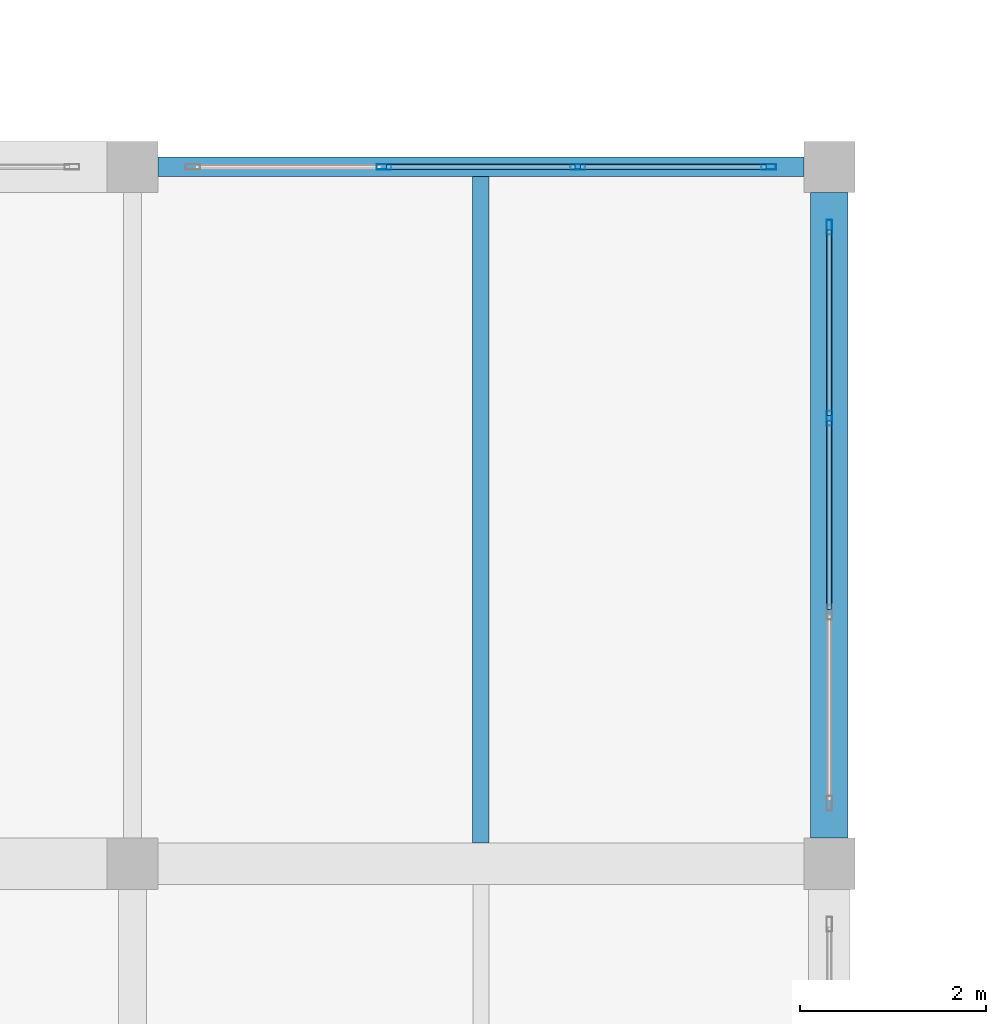
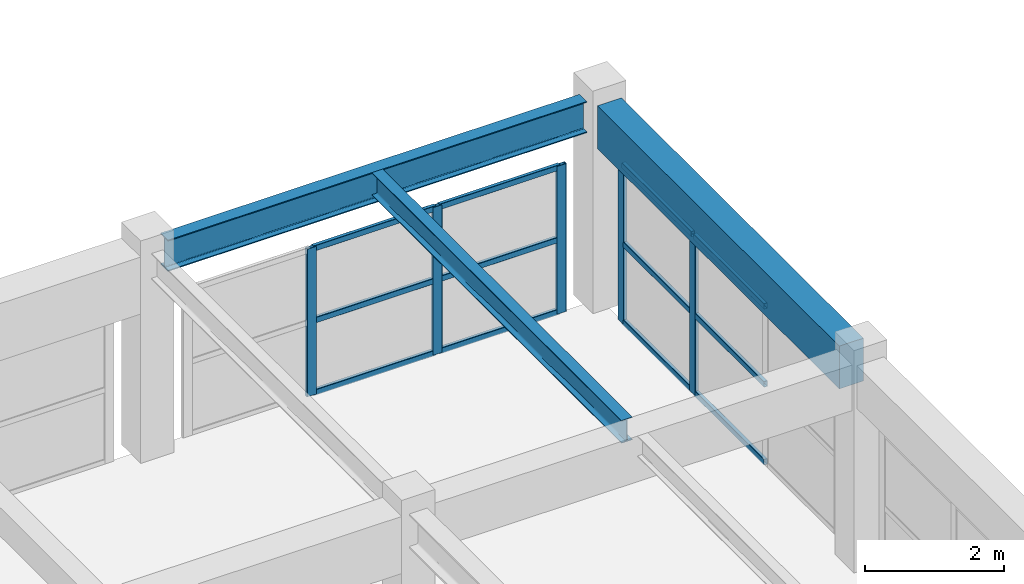
# One storey, part 37 of 101: 17 members, 3 beams, 2 elements without a shape of their own.
"""IFC4 building model written with IfcOpenShell, lengths in metres."""

from ifc_helpers import new_model, si_unit, direction, frame, origin, origin_2d, place, context, subcontext, project, spatial, rectangle, hollow_rectangle, i_section, extrude, material, material_profile, profile_set, type_object, element, aggregate, save


model = new_model("IFC4")

# Units and contexts
model_context = context("Model", 3, precision=1e-05, world=origin(), true_north=direction((0.0, 1.0)))
body_context = subcontext(model_context, "Body", "Model", "MODEL_VIEW")
ifc_project = project(units=[si_unit("LENGTHUNIT", "METRE"), si_unit("AREAUNIT", "SQUARE_METRE"), si_unit("VOLUMEUNIT", "CUBIC_METRE"), si_unit("PLANEANGLEUNIT", "RADIAN"), si_unit("MASSUNIT", "GRAM", prefix="KILO")], contexts=[model_context])

# Site, building, storey
site_placement = place(None, origin())
site = spatial("IfcSite", under=ifc_project, at=site_placement, CompositionType="ELEMENT")
building_placement = place(site_placement, origin())
building = spatial("IfcBuilding", under=site, at=building_placement, Name="Qasida Concert Hall", CompositionType="ELEMENT")
storey_placement = place(building_placement, frame((0.0, 0.0, 13.199951171875)))
storey = spatial("IfcBuildingStorey", under=building, at=storey_placement, Name="L03", CompositionType="ELEMENT", Elevation=13.199951171875)

# Beams
ifc_material_1 = material(Name="Steel S355J2", Category="steel")
ifc_material_profile_1 = material_profile(ifc_material_1, i_section(OverallWidth=0.179931640625, OverallDepth=0.39990234375, WebThickness=0.008544921875, FlangeThickness=0.013427734375, FilletRadius=0.02099609375, at=origin_2d()), Name="IPE 400")
ifc_profile_set_1 = profile_set([ifc_material_profile_1], Name="Steel S355J2")
beam_type_1 = type_object("IfcBeamType", Name="BM-J3", PredefinedType="JOIST", material=ifc_profile_set_1)
beam_1_placement = place(storey_placement, frame((33.75, 45.22509765625, 3.420166015625), z_axis=(0.0, 1.0, 0.0), x_axis=(-1.0, 0.0, 0.0)))
element("IfcBeam", 1, at=beam_1_placement, inside=storey, type_object=beam_type_1, Name="L03 secondary joist 1658", PredefinedType="JOIST", context=body_context, shape_type="SweptSolid", body=[
    extrude(i_section(OverallWidth=0.179931640625, OverallDepth=0.39990234375, WebThickness=0.008544921875, FlangeThickness=0.013427734375, FilletRadius=0.02099609375, at=origin_2d()), origin(), (0.0, 0.0, 1.0), 7.169921875),
])
ifc_material_2 = material(Name="Concrete C40/50", Category="concrete")
ifc_material_profile_2 = material_profile(ifc_material_2, rectangle(XDim=0.39990234375, YDim=0.75, at=origin_2d()), Name="RC 400x750")
ifc_profile_set_2 = profile_set([ifc_material_profile_2], Name="Concrete C40/50")
beam_type_2 = type_object("IfcBeamType", Name="BM-SP1", PredefinedType="SPANDREL", material=ifc_profile_set_2)
beam_2_placement = place(storey_placement, frame((37.5, 45.27490234375, 3.2451171875), z_axis=(0.0, 1.0, 0.0), x_axis=(-1.0, 0.0, 0.0)))
element("IfcBeam", 2, at=beam_2_placement, inside=storey, type_object=beam_type_2, Name="L03 girder 1635", PredefinedType="SPANDREL", context=body_context, shape_type="SweptSolid", body=[
    extrude(rectangle(XDim=0.39990234375, YDim=0.75, at=origin_2d()), origin(), (0.0, 0.0, 1.0), 6.9501953125),
])
ifc_material_profile_3 = material_profile(ifc_material_1, i_section(OverallWidth=0.2099609375, OverallDepth=0.550048828125, WebThickness=0.010986328125, FlangeThickness=0.01708984375, FilletRadius=0.02392578125, at=origin_2d()), Name="IPE 550")
ifc_profile_set_3 = profile_set([ifc_material_profile_3], Name="Steel S355J2")
beam_type_3 = type_object("IfcBeamType", Name="BM-SP2", PredefinedType="SPANDREL", material=ifc_profile_set_3)
beam_3_placement = place(storey_placement, frame((30.27490234375, 52.5, 3.344970703125), z_axis=(1.0, 0.0, 0.0), x_axis=(0.0, 1.0, 0.0)))
element("IfcBeam", 3, at=beam_3_placement, inside=storey, type_object=beam_type_3, Name="Primary girder 1615", PredefinedType="SPANDREL", context=body_context, shape_type="SweptSolid", body=[
    extrude(i_section(OverallWidth=0.2099609375, OverallDepth=0.550048828125, WebThickness=0.010986328125, FlangeThickness=0.01708984375, FilletRadius=0.02392578125, at=origin_2d()), origin(), (0.0, 0.0, 1.0), 6.9501953125),
])

# Curtain wall, members
ifc_material_3 = material(Name="Architectural bronze-anodized aluminium and low-E glass", Category="aluminium")
curtain_wall_type = type_object("IfcCurtainWallType", Name="CW-09", PredefinedType="NOTDEFINED", material=ifc_material_3)
curtain_wall_1_placement = place(storey_placement, origin())
curtain_wall_1 = element("IfcCurtainWall", 4, at=curtain_wall_1_placement, inside=storey, type_object=curtain_wall_type, Name="L03 curtain wall CW-09 0124", PredefinedType="NOTDEFINED")
ifc_material_4 = material(Name="Architectural bronze-anodized aluminium EN AW-6063", Category="aluminium")
ifc_material_profile_4 = material_profile(ifc_material_4, hollow_rectangle(XDim=0.06005859375, YDim=0.159912109375, WallThickness=0.00390625, InnerFilletRadius=0.00390625, OuterFilletRadius=0.008056640625, at=origin_2d()), Name="CWM 160x60x4")
ifc_profile_set_4 = profile_set([ifc_material_profile_4], Name="Architectural bronze-anodized aluminium EN AW-6063")
member_type_1 = type_object("IfcMemberType", Name="MB-CWM-3", PredefinedType="MULLION", material=ifc_profile_set_4)
member_1_placement = place(storey_placement, frame((32.706787109375, 52.5, 0.0), z_axis=(0.0, 0.0, 1.0), x_axis=(0.0, 1.0, 0.0)))
member_1 = element("IfcMember", 5, at=member_1_placement, type_object=member_type_1, Name="CW-09 mullion 2", PredefinedType="MULLION", context=body_context, shape_type="SweptSolid", body=[
    extrude(hollow_rectangle(XDim=0.06005859375, YDim=0.159912109375, WallThickness=0.00390625, InnerFilletRadius=0.00390625, OuterFilletRadius=0.008056640625, at=origin_2d()), origin(), (0.0, 0.0, 1.0), 2.590087890625),
])
member_2_placement = place(storey_placement, frame((34.793212890625, 52.5, 0.0), z_axis=(0.0, 0.0, 1.0), x_axis=(0.0, 1.0, 0.0)))
member_2 = element("IfcMember", 6, at=member_2_placement, type_object=member_type_1, Name="CW-09 mullion 3", PredefinedType="MULLION", context=body_context, shape_type="SweptSolid", body=[
    extrude(hollow_rectangle(XDim=0.06005859375, YDim=0.159912109375, WallThickness=0.00390625, InnerFilletRadius=0.00390625, OuterFilletRadius=0.008056640625, at=origin_2d()), origin(), (0.0, 0.0, 1.0), 2.590087890625),
])
member_3_placement = place(storey_placement, frame((36.85009765625, 52.5, 0.0), z_axis=(0.0, 0.0, 1.0), x_axis=(0.0, 1.0, 0.0)))
member_3 = element("IfcMember", 7, at=member_3_placement, type_object=member_type_1, Name="CW-09 mullion 4", PredefinedType="MULLION", context=body_context, shape_type="SweptSolid", body=[
    extrude(hollow_rectangle(XDim=0.06005859375, YDim=0.159912109375, WallThickness=0.00390625, InnerFilletRadius=0.00390625, OuterFilletRadius=0.008056640625, at=origin_2d()), origin(), (0.0, 0.0, 1.0), 2.590087890625),
])

curtain_wall_2_placement = place(storey_placement, origin())
curtain_wall_2 = element("IfcCurtainWall", 8, at=curtain_wall_2_placement, inside=storey, type_object=curtain_wall_type, Name="L03 curtain wall CW-09 0129", PredefinedType="NOTDEFINED")
member_4_placement = place(storey_placement, frame((37.5, 49.793212890625, 0.0), z_axis=(0.0, 0.0, 1.0), x_axis=(-1.0, 0.0, 0.0)))
member_4 = element("IfcMember", 9, at=member_4_placement, type_object=member_type_1, Name="CW-09 mullion 3", PredefinedType="MULLION", context=body_context, shape_type="SweptSolid", body=[
    extrude(hollow_rectangle(XDim=0.06005859375, YDim=0.159912109375, WallThickness=0.00390625, InnerFilletRadius=0.00390625, OuterFilletRadius=0.008056640625, at=origin_2d()), origin(), (0.0, 0.0, 1.0), 2.7900390625),
])
member_5_placement = place(storey_placement, frame((37.5, 51.85009765625, 0.0), z_axis=(0.0, 0.0, 1.0), x_axis=(-1.0, 0.0, 0.0)))
member_5 = element("IfcMember", 10, at=member_5_placement, type_object=member_type_1, Name="CW-09 mullion 4", PredefinedType="MULLION", context=body_context, shape_type="SweptSolid", body=[
    extrude(hollow_rectangle(XDim=0.06005859375, YDim=0.159912109375, WallThickness=0.00390625, InnerFilletRadius=0.00390625, OuterFilletRadius=0.008056640625, at=origin_2d()), origin(), (0.0, 0.0, 1.0), 2.7900390625),
])

# Member
ifc_material_profile_5 = material_profile(ifc_material_4, hollow_rectangle(XDim=0.06005859375, YDim=0.10009765625, WallThickness=0.00341796875, InnerFilletRadius=0.00341796875, OuterFilletRadius=0.007080078125, at=origin_2d()), Name="CWT 100x60x3.5")
ifc_profile_set_5 = profile_set([ifc_material_profile_5], Name="Architectural bronze-anodized aluminium EN AW-6063")
member_type_2 = type_object("IfcMemberType", Name="MB-CWT-3", PredefinedType="USERDEFINED", material=ifc_profile_set_5)
member_6_placement = place(storey_placement, frame((32.736572265625, 52.5, 0.030029296875), z_axis=(1.0, 0.0, 0.0), x_axis=(0.0, 1.0, 0.0)))
member_6 = element("IfcMember", 11, at=member_6_placement, type_object=member_type_2, Name="CW-09 transom 2.1", ObjectType="TRANSOM", PredefinedType="USERDEFINED", context=body_context, shape_type="SweptSolid", body=[
    extrude(hollow_rectangle(XDim=0.06005859375, YDim=0.10009765625, WallThickness=0.00341796875, InnerFilletRadius=0.00341796875, OuterFilletRadius=0.007080078125, at=origin_2d()), origin(), (0.0, 0.0, 1.0), 2.02685546875),
])

member_7_placement = place(storey_placement, frame((32.736572265625, 52.5, 1.295166015625), z_axis=(1.0, 0.0, 0.0), x_axis=(0.0, 1.0, 0.0)))
member_7 = element("IfcMember", 12, at=member_7_placement, type_object=member_type_2, Name="CW-09 transom 2.2", ObjectType="TRANSOM", PredefinedType="USERDEFINED", context=body_context, shape_type="SweptSolid", body=[
    extrude(hollow_rectangle(XDim=0.06005859375, YDim=0.10009765625, WallThickness=0.00341796875, InnerFilletRadius=0.00341796875, OuterFilletRadius=0.007080078125, at=origin_2d()), origin(), (0.0, 0.0, 1.0), 2.02685546875),
])

member_8_placement = place(storey_placement, frame((32.736572265625, 52.5, 2.56005859375), z_axis=(1.0, 0.0, 0.0), x_axis=(0.0, 1.0, 0.0)))
member_8 = element("IfcMember", 13, at=member_8_placement, type_object=member_type_2, Name="CW-09 transom 2.3", ObjectType="TRANSOM", PredefinedType="USERDEFINED", context=body_context, shape_type="SweptSolid", body=[
    extrude(hollow_rectangle(XDim=0.06005859375, YDim=0.10009765625, WallThickness=0.00341796875, InnerFilletRadius=0.00341796875, OuterFilletRadius=0.007080078125, at=origin_2d()), origin(), (0.0, 0.0, 1.0), 2.02685546875),
])

member_9_placement = place(storey_placement, frame((34.8232421875, 52.5, 0.030029296875), z_axis=(1.0, 0.0, 0.0), x_axis=(0.0, 1.0, 0.0)))
member_9 = element("IfcMember", 14, at=member_9_placement, type_object=member_type_2, Name="CW-09 transom 3.1", ObjectType="TRANSOM", PredefinedType="USERDEFINED", context=body_context, shape_type="SweptSolid", body=[
    extrude(hollow_rectangle(XDim=0.06005859375, YDim=0.10009765625, WallThickness=0.00341796875, InnerFilletRadius=0.00341796875, OuterFilletRadius=0.007080078125, at=origin_2d()), origin(), (0.0, 0.0, 1.0), 1.996826171875),
])

member_10_placement = place(storey_placement, frame((34.8232421875, 52.5, 1.295166015625), z_axis=(1.0, 0.0, 0.0), x_axis=(0.0, 1.0, 0.0)))
member_10 = element("IfcMember", 15, at=member_10_placement, type_object=member_type_2, Name="CW-09 transom 3.2", ObjectType="TRANSOM", PredefinedType="USERDEFINED", context=body_context, shape_type="SweptSolid", body=[
    extrude(hollow_rectangle(XDim=0.06005859375, YDim=0.10009765625, WallThickness=0.00341796875, InnerFilletRadius=0.00341796875, OuterFilletRadius=0.007080078125, at=origin_2d()), origin(), (0.0, 0.0, 1.0), 1.996826171875),
])

member_11_placement = place(storey_placement, frame((34.8232421875, 52.5, 2.56005859375), z_axis=(1.0, 0.0, 0.0), x_axis=(0.0, 1.0, 0.0)))
member_11 = element("IfcMember", 16, at=member_11_placement, type_object=member_type_2, Name="CW-09 transom 3.3", ObjectType="TRANSOM", PredefinedType="USERDEFINED", context=body_context, shape_type="SweptSolid", body=[
    extrude(hollow_rectangle(XDim=0.06005859375, YDim=0.10009765625, WallThickness=0.00341796875, InnerFilletRadius=0.00341796875, OuterFilletRadius=0.007080078125, at=origin_2d()), origin(), (0.0, 0.0, 1.0), 1.996826171875),
])

aggregate(curtain_wall_1, [member_1, member_2, member_3, member_6, member_7, member_8, member_9, member_10, member_11])

member_12_placement = place(storey_placement, frame((37.5, 47.736572265625, 0.030029296875), z_axis=(0.0, 1.0, 0.0), x_axis=(-1.0, 0.0, 0.0)))
member_12 = element("IfcMember", 17, at=member_12_placement, type_object=member_type_2, Name="CW-09 transom 2.1", ObjectType="TRANSOM", PredefinedType="USERDEFINED", context=body_context, shape_type="SweptSolid", body=[
    extrude(hollow_rectangle(XDim=0.06005859375, YDim=0.10009765625, WallThickness=0.00341796875, InnerFilletRadius=0.00341796875, OuterFilletRadius=0.007080078125, at=origin_2d()), origin(), (0.0, 0.0, 1.0), 2.02685546875),
])

member_13_placement = place(storey_placement, frame((37.5, 47.736572265625, 1.39501953125), z_axis=(0.0, 1.0, 0.0), x_axis=(-1.0, 0.0, 0.0)))
member_13 = element("IfcMember", 18, at=member_13_placement, type_object=member_type_2, Name="CW-09 transom 2.2", ObjectType="TRANSOM", PredefinedType="USERDEFINED", context=body_context, shape_type="SweptSolid", body=[
    extrude(hollow_rectangle(XDim=0.06005859375, YDim=0.10009765625, WallThickness=0.00341796875, InnerFilletRadius=0.00341796875, OuterFilletRadius=0.007080078125, at=origin_2d()), origin(), (0.0, 0.0, 1.0), 2.02685546875),
])

member_14_placement = place(storey_placement, frame((37.5, 47.736572265625, 2.760009765625), z_axis=(0.0, 1.0, 0.0), x_axis=(-1.0, 0.0, 0.0)))
member_14 = element("IfcMember", 19, at=member_14_placement, type_object=member_type_2, Name="CW-09 transom 2.3", ObjectType="TRANSOM", PredefinedType="USERDEFINED", context=body_context, shape_type="SweptSolid", body=[
    extrude(hollow_rectangle(XDim=0.06005859375, YDim=0.10009765625, WallThickness=0.00341796875, InnerFilletRadius=0.00341796875, OuterFilletRadius=0.007080078125, at=origin_2d()), origin(), (0.0, 0.0, 1.0), 2.02685546875),
])

member_15_placement = place(storey_placement, frame((37.5, 49.8232421875, 0.030029296875), z_axis=(0.0, 1.0, 0.0), x_axis=(-1.0, 0.0, 0.0)))
member_15 = element("IfcMember", 20, at=member_15_placement, type_object=member_type_2, Name="CW-09 transom 3.1", ObjectType="TRANSOM", PredefinedType="USERDEFINED", context=body_context, shape_type="SweptSolid", body=[
    extrude(hollow_rectangle(XDim=0.06005859375, YDim=0.10009765625, WallThickness=0.00341796875, InnerFilletRadius=0.00341796875, OuterFilletRadius=0.007080078125, at=origin_2d()), origin(), (0.0, 0.0, 1.0), 1.996826171875),
])

member_16_placement = place(storey_placement, frame((37.5, 49.8232421875, 1.39501953125), z_axis=(0.0, 1.0, 0.0), x_axis=(-1.0, 0.0, 0.0)))
member_16 = element("IfcMember", 21, at=member_16_placement, type_object=member_type_2, Name="CW-09 transom 3.2", ObjectType="TRANSOM", PredefinedType="USERDEFINED", context=body_context, shape_type="SweptSolid", body=[
    extrude(hollow_rectangle(XDim=0.06005859375, YDim=0.10009765625, WallThickness=0.00341796875, InnerFilletRadius=0.00341796875, OuterFilletRadius=0.007080078125, at=origin_2d()), origin(), (0.0, 0.0, 1.0), 1.996826171875),
])

member_17_placement = place(storey_placement, frame((37.5, 49.8232421875, 2.760009765625), z_axis=(0.0, 1.0, 0.0), x_axis=(-1.0, 0.0, 0.0)))
member_17 = element("IfcMember", 22, at=member_17_placement, type_object=member_type_2, Name="CW-09 transom 3.3", ObjectType="TRANSOM", PredefinedType="USERDEFINED", context=body_context, shape_type="SweptSolid", body=[
    extrude(hollow_rectangle(XDim=0.06005859375, YDim=0.10009765625, WallThickness=0.00341796875, InnerFilletRadius=0.00341796875, OuterFilletRadius=0.007080078125, at=origin_2d()), origin(), (0.0, 0.0, 1.0), 1.996826171875),
])

aggregate(curtain_wall_2, [member_4, member_5, member_12, member_13, member_14, member_15, member_16, member_17])

save(model, "model.ifc")
